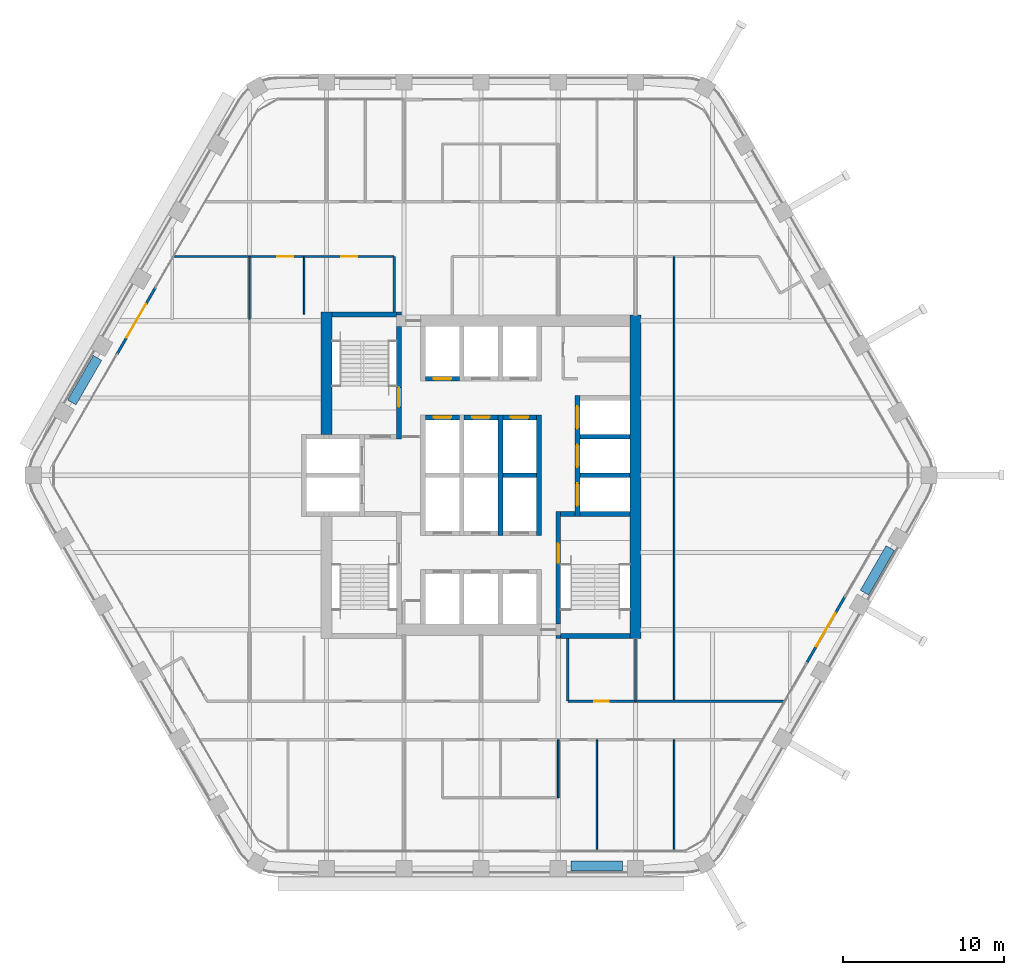
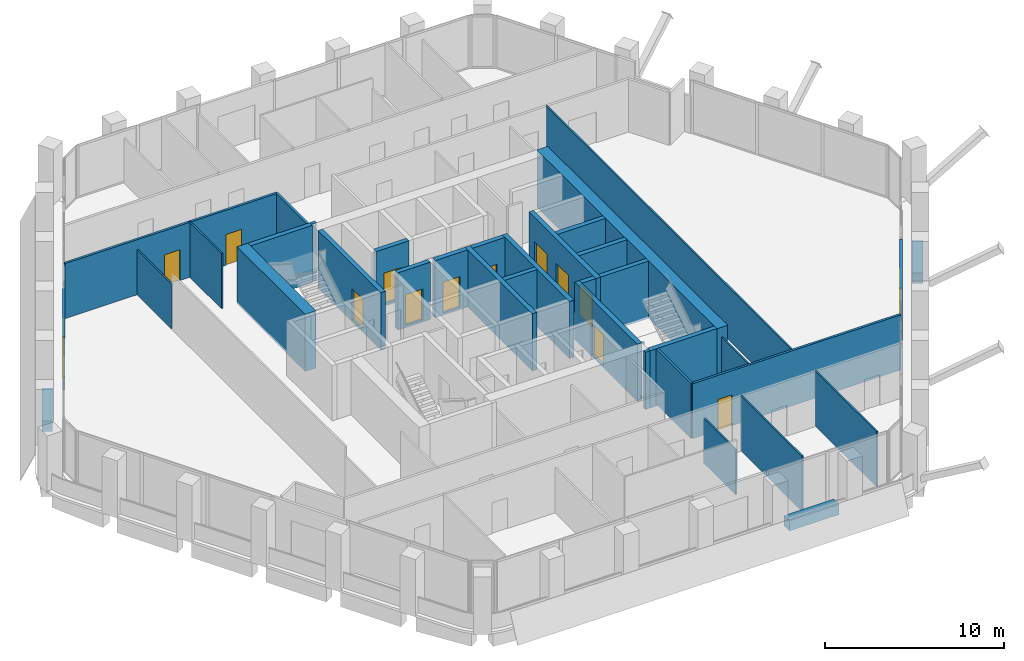
# One storey, part 11 of 16: 36 walls, 14 doors, 14 openings.
"""IFC4 building model written with IfcOpenShell, lengths in metres."""

from ifc_helpers import new_model, si_unit, direction, frame, frame_2d, origin, place, context, subcontext, project, spatial, rectangle, extrude, material, layer, layer_set, type_object, element, fill, save


model = new_model("IFC4")

# Units and contexts
model_context = context("Model", 3, precision=1e-05, world=origin(), true_north=direction((0.0, 1.0)))
body_context = subcontext(model_context, "Body", "Model", "MODEL_VIEW")
ifc_project = project(units=[si_unit("LENGTHUNIT", "METRE"), si_unit("AREAUNIT", "SQUARE_METRE"), si_unit("VOLUMEUNIT", "CUBIC_METRE"), si_unit("PLANEANGLEUNIT", "RADIAN"), si_unit("MASSUNIT", "GRAM", prefix="KILO")], contexts=[model_context])

# Site, building, storey
site_placement = place(None, origin())
site = spatial("IfcSite", under=ifc_project, at=site_placement, CompositionType="ELEMENT")
building_placement = place(site_placement, origin())
building = spatial("IfcBuilding", under=site, at=building_placement, Name="Kolab Exchange Tower", CompositionType="ELEMENT")
storey_placement = place(building_placement, frame((0.0, 0.0, 177.800048828125)))
storey = spatial("IfcBuildingStorey", under=building, at=storey_placement, Name="L37", CompositionType="ELEMENT", Elevation=177.800048828125)

# Walls
ifc_material_1 = material(Name="Concrete C60/75", Category="concrete")
ifc_layer_1 = layer(ifc_material_1, 0.699951171875)
ifc_layer_set_1 = layer_set([ifc_layer_1], Name="Concrete C60/75")
wall_type_1 = type_object("IfcWallType", Name="CORE WALL 700 C60/75", PredefinedType="SHEAR", material=ifc_layer_set_1)
wall_1_placement = place(storey_placement, frame((-9.60009765625, 2.550048828125, -0.150146484375), z_axis=(0.0, 0.0, 1.0), x_axis=(0.0, 1.0, 0.0)))
element("IfcWall", 1, at=wall_1_placement, inside=storey, type_object=wall_type_1, Name="wall/L37/core/037", PredefinedType="SHEAR", context=body_context, shape_type="SweptSolid", body=[
    extrude(rectangle(XDim=7.599853515625, YDim=0.699951171875, at=frame_2d((3.7998046875, 0.0))), origin(), (0.0, 0.0, 1.0), 3.900146484375),
])
wall_2_placement = place(storey_placement, frame((9.60009765625, -10.14990234375, -0.150146484375), z_axis=(0.0, 0.0, 1.0), x_axis=(0.0, 1.0, 0.0)))
element("IfcWall", 2, at=wall_2_placement, inside=storey, type_object=wall_type_1, Name="wall/L37/core/058", PredefinedType="SHEAR", context=body_context, shape_type="SweptSolid", body=[
    extrude(rectangle(XDim=20.099853515625, YDim=0.699951171875, at=frame_2d((10.0498046875, 0.0))), origin(), (0.0, 0.0, 1.0), 3.900146484375),
])

# Wall, opening, door
ifc_material_2 = material(Name="Aluminium EN AW-6063 T6", Category="aluminium")
ifc_layer_2 = layer(ifc_material_2, 0.159912109375)
ifc_layer_set_2 = layer_set([ifc_layer_2], Name="Aluminium EN AW-6063 T6")
wall_type_2 = type_object("IfcWallType", Name="DOOR SURROUND WALL 160 ALUMINIUM FRAMED", PredefinedType="PARTITIONING", material=ifc_layer_set_2)
wall_3_placement = place(storey_placement, frame((22.61669921875, -7.5498046875, 0.0), z_axis=(0.0, 0.0, 1.0), x_axis=(-0.5000167099, -0.866015756104, 0.0)))
wall_3 = element("IfcWall", 3, at=wall_3_placement, inside=storey, type_object=wall_type_2, Name="Door surround wall", PredefinedType="PARTITIONING", context=body_context, shape_type="SweptSolid", body=[
    extrude(rectangle(XDim=4.739990234375, YDim=0.159912109375, at=frame_2d((2.3701171875, 0.0))), origin(), (0.0, 0.0, 1.0), 3.599853515625),
])
opening_1_placement = place(wall_3_placement, frame((1.169921875, 0.0, 0.0)))
opening_1 = element("IfcOpeningElement", 4, at=opening_1_placement, cuts=wall_3, Name="Opening GD1-072", PredefinedType="OPENING", context=body_context, shape_type="SweptSolid", body=[
    extrude(rectangle(XDim=2.39990234375, YDim=2.39990234375, at=frame_2d((1.199951171875, 1.199951171875))), frame((0.0, 0.08984375, 0.0), z_axis=(0.0, -1.0, 0.0), x_axis=(1.0, 0.0, 0.0)), (0.0, 0.0, 1.0), 0.179931640625),
])
door_type_1 = type_object("IfcDoorType", Name="LOGGIA SLIDING GLASS DOOR 2400 X 2400", OperationType="DOUBLE_DOOR_SINGLE_SWING", PredefinedType="DOOR", material=ifc_material_2)
door_1_placement = place(opening_1_placement, origin())
door_1 = element("IfcDoor", 5, at=door_1_placement, inside=storey, type_object=door_type_1, Name="Loggia door", OperationType="DOUBLE_DOOR_SLIDING", OverallHeight=2.39990234375, OverallWidth=2.39990234375, PredefinedType="DOOR", context=body_context, shape_type="SweptSolid", body=[
    extrude(rectangle(XDim=2.39990234375, YDim=2.39990234375, at=frame_2d((1.199951171875, 1.199951171875))), frame((0.0, 0.02490234375, 0.0), z_axis=(0.0, -1.0, 0.0), x_axis=(1.0, 0.0, 0.0)), (0.0, 0.0, 1.0), 0.050048828125),
])
fill(opening_1, door_1)

wall_4_placement = place(storey_placement, frame((-22.61669921875, 7.5498046875, 0.0), z_axis=(0.0, 0.0, 1.0), x_axis=(0.5000167099, 0.866015756104, 0.0)))
wall_4 = element("IfcWall", 6, at=wall_4_placement, inside=storey, type_object=wall_type_2, Name="Door surround wall", PredefinedType="PARTITIONING", context=body_context, shape_type="SweptSolid", body=[
    extrude(rectangle(XDim=4.739990234375, YDim=0.159912109375, at=frame_2d((2.3701171875, 0.0))), origin(), (0.0, 0.0, 1.0), 3.599853515625),
])
opening_2_placement = place(wall_4_placement, frame((1.169921875, 0.0, 0.0)))
opening_2 = element("IfcOpeningElement", 7, at=opening_2_placement, cuts=wall_4, Name="Opening GD1-078", PredefinedType="OPENING", context=body_context, shape_type="SweptSolid", body=[
    extrude(rectangle(XDim=2.39990234375, YDim=2.39990234375, at=frame_2d((1.199951171875, 1.199951171875))), frame((0.0, 0.08984375, 0.0), z_axis=(0.0, -1.0, 0.0), x_axis=(1.0, 0.0, 0.0)), (0.0, 0.0, 1.0), 0.179931640625),
])
door_2_placement = place(opening_2_placement, origin())
door_2 = element("IfcDoor", 8, at=door_2_placement, inside=storey, type_object=door_type_1, Name="Loggia door", OperationType="DOUBLE_DOOR_SLIDING", OverallHeight=2.39990234375, OverallWidth=2.39990234375, PredefinedType="DOOR", context=body_context, shape_type="SweptSolid", body=[
    extrude(rectangle(XDim=2.39990234375, YDim=2.39990234375, at=frame_2d((1.199951171875, 1.199951171875))), frame((0.0, 0.02490234375, 0.0), z_axis=(0.0, -1.0, 0.0), x_axis=(1.0, 0.0, 0.0)), (0.0, 0.0, 1.0), 0.050048828125),
])
fill(opening_2, door_2)

# Walls
ifc_material_3 = material(Name="Concrete C50/60", Category="concrete")
ifc_layer_3 = layer(ifc_material_3, 0.300048828125)
ifc_layer_set_3 = layer_set([ifc_layer_3], Name="Concrete C50/60")
wall_type_3 = type_object("IfcWallType", Name="LIFT SHAFT WALL 300 C50/60", PredefinedType="STANDARD", material=ifc_layer_set_3)
wall_5_placement = place(storey_placement, frame((1.35009765625, 0.0, -0.150146484375), z_axis=(0.0, 0.0, 1.0), x_axis=(1.0, 0.0, 0.0)))
element("IfcWall", 9, at=wall_5_placement, inside=storey, type_object=wall_type_3, Name="wall/L37/core/017", PredefinedType="STANDARD", context=body_context, shape_type="SweptSolid", body=[
    extrude(rectangle(XDim=2.099853515625, YDim=0.300048828125, at=frame_2d((1.0498046875, 0.0))), origin(), (0.0, 0.0, 1.0), 3.900146484375),
])
for number, where, z_axis, x_axis, name in (
    (10, (6.14990234375, 0.0, -0.150146484375), (0.0, 0.0, 1.0), (1.0, 0.0, 0.0), "wall/L37/core/018"),
    (11, (6.14990234375, 2.39990234375, -0.150146484375), (0.0, 0.0, 1.0), (1.0, 0.0, 0.0), "wall/L37/core/022"),
):
    element("IfcWall", number, at=place(storey_placement, frame(where, z_axis=z_axis, x_axis=x_axis)), inside=storey, type_object=wall_type_3, Name=name, PredefinedType="STANDARD", context=body_context, shape_type="SweptSolid", body=[
        extrude(rectangle(XDim=3.10009765625, YDim=0.300048828125, at=frame_2d((1.550048828125, 0.0))), origin(), (0.0, 0.0, 1.0), 3.900146484375),
    ])

# Wall, opening, door
wall_6_placement = place(storey_placement, frame((-3.449951171875, 3.60009765625, -0.150146484375), z_axis=(0.0, 0.0, 1.0), x_axis=(1.0, 0.0, 0.0)))
wall_6 = element("IfcWall", 12, at=wall_6_placement, inside=storey, type_object=wall_type_3, Name="wall/L37/core/023", PredefinedType="STANDARD", context=body_context, shape_type="SweptSolid", body=[
    extrude(rectangle(XDim=2.099853515625, YDim=0.300048828125, at=frame_2d((1.0498046875, 0.0))), origin(), (0.0, 0.0, 1.0), 3.900146484375),
])
opening_3_placement = place(wall_6_placement, frame((0.5, 0.0, 0.14990234375)))
opening_3 = element("IfcOpeningElement", 13, at=opening_3_placement, cuts=wall_6, Name="Opening LD1-115", PredefinedType="OPENING", context=body_context, shape_type="SweptSolid", body=[
    extrude(rectangle(XDim=1.10009765625, YDim=2.10009765625, at=frame_2d((0.550048828125, 1.050048828125))), frame((0.0, 0.16015625, 0.0), z_axis=(0.0, -1.0, 0.0), x_axis=(1.0, 0.0, 0.0)), (0.0, 0.0, 1.0), 0.320068359375),
])
ifc_material_4 = material(Name="Stainless steel 316", Category="steel")
door_type_2 = type_object("IfcDoorType", Name="LANDING DOOR 1100 PASSENGER", OperationType="DOUBLE_DOOR_SLIDING", PredefinedType="DOOR", material=ifc_material_4)
door_3_placement = place(opening_3_placement, origin())
door_3 = element("IfcDoor", 14, at=door_3_placement, inside=storey, type_object=door_type_2, Name="Landing door HR4", OperationType="DOUBLE_DOOR_SLIDING", OverallHeight=2.10009765625, OverallWidth=1.10009765625, PredefinedType="DOOR", context=body_context, shape_type="SweptSolid", body=[
    extrude(rectangle(XDim=1.10009765625, YDim=2.10009765625, at=frame_2d((0.550048828125, 1.050048828125))), frame((0.0, 0.02490234375, 0.0), z_axis=(0.0, -1.0, 0.0), x_axis=(1.0, 0.0, 0.0)), (0.0, 0.0, 1.0), 0.050048828125),
])
fill(opening_3, door_3)

wall_7_placement = place(storey_placement, frame((-1.050048828125, 3.60009765625, -0.150146484375), z_axis=(0.0, 0.0, 1.0), x_axis=(1.0, 0.0, 0.0)))
wall_7 = element("IfcWall", 15, at=wall_7_placement, inside=storey, type_object=wall_type_3, Name="wall/L37/core/024", PredefinedType="STANDARD", context=body_context, shape_type="SweptSolid", body=[
    extrude(rectangle(XDim=2.10009765625, YDim=0.300048828125, at=frame_2d((1.050048828125, 0.0))), origin(), (0.0, 0.0, 1.0), 3.900146484375),
])
opening_4_placement = place(wall_7_placement, frame((0.5, 0.0, 0.14990234375)))
opening_4 = element("IfcOpeningElement", 16, at=opening_4_placement, cuts=wall_7, Name="Opening LD1-116", PredefinedType="OPENING", context=body_context, shape_type="SweptSolid", body=[
    extrude(rectangle(XDim=1.10009765625, YDim=2.10009765625, at=frame_2d((0.550048828125, 1.050048828125))), frame((0.0, 0.16015625, 0.0), z_axis=(0.0, -1.0, 0.0), x_axis=(1.0, 0.0, 0.0)), (0.0, 0.0, 1.0), 0.320068359375),
])
door_4_placement = place(opening_4_placement, origin())
door_4 = element("IfcDoor", 17, at=door_4_placement, inside=storey, type_object=door_type_2, Name="Landing door HR5", OperationType="DOUBLE_DOOR_SLIDING", OverallHeight=2.10009765625, OverallWidth=1.10009765625, PredefinedType="DOOR", context=body_context, shape_type="SweptSolid", body=[
    extrude(rectangle(XDim=1.10009765625, YDim=2.10009765625, at=frame_2d((0.550048828125, 1.050048828125))), frame((0.0, 0.02490234375, 0.0), z_axis=(0.0, -1.0, 0.0), x_axis=(1.0, 0.0, 0.0)), (0.0, 0.0, 1.0), 0.050048828125),
])
fill(opening_4, door_4)

wall_8_placement = place(storey_placement, frame((1.35009765625, 3.60009765625, -0.150146484375), z_axis=(0.0, 0.0, 1.0), x_axis=(1.0, 0.0, 0.0)))
wall_8 = element("IfcWall", 18, at=wall_8_placement, inside=storey, type_object=wall_type_3, Name="wall/L37/core/025", PredefinedType="STANDARD", context=body_context, shape_type="SweptSolid", body=[
    extrude(rectangle(XDim=2.099853515625, YDim=0.300048828125, at=frame_2d((1.0498046875, 0.0))), origin(), (0.0, 0.0, 1.0), 3.900146484375),
])
opening_5_placement = place(wall_8_placement, frame((0.5, 0.0, 0.14990234375)))
opening_5 = element("IfcOpeningElement", 19, at=opening_5_placement, cuts=wall_8, Name="Opening LD1-117", PredefinedType="OPENING", context=body_context, shape_type="SweptSolid", body=[
    extrude(rectangle(XDim=1.10009765625, YDim=2.10009765625, at=frame_2d((0.550048828125, 1.050048828125))), frame((0.0, 0.16015625, 0.0), z_axis=(0.0, -1.0, 0.0), x_axis=(1.0, 0.0, 0.0)), (0.0, 0.0, 1.0), 0.320068359375),
])
door_5_placement = place(opening_5_placement, origin())
door_5 = element("IfcDoor", 20, at=door_5_placement, inside=storey, type_object=door_type_2, Name="Landing door HR6", OperationType="DOUBLE_DOOR_SLIDING", OverallHeight=2.10009765625, OverallWidth=1.10009765625, PredefinedType="DOOR", context=body_context, shape_type="SweptSolid", body=[
    extrude(rectangle(XDim=1.10009765625, YDim=2.10009765625, at=frame_2d((0.550048828125, 1.050048828125))), frame((0.0, 0.02490234375, 0.0), z_axis=(0.0, -1.0, 0.0), x_axis=(1.0, 0.0, 0.0)), (0.0, 0.0, 1.0), 0.050048828125),
])
fill(opening_5, door_5)

wall_9_placement = place(storey_placement, frame((-3.449951171875, 6.0, -0.150146484375), z_axis=(0.0, 0.0, 1.0), x_axis=(1.0, 0.0, 0.0)))
wall_9 = element("IfcWall", 21, at=wall_9_placement, inside=storey, type_object=wall_type_3, Name="wall/L37/core/027", PredefinedType="STANDARD", context=body_context, shape_type="SweptSolid", body=[
    extrude(rectangle(XDim=2.099853515625, YDim=0.300048828125, at=frame_2d((1.0498046875, 0.0))), origin(), (0.0, 0.0, 1.0), 3.900146484375),
])
opening_6_placement = place(wall_9_placement, frame((0.5, 0.0, 0.14990234375)))
opening_6 = element("IfcOpeningElement", 22, at=opening_6_placement, cuts=wall_9, Name="Opening LD1-109", PredefinedType="OPENING", context=body_context, shape_type="SweptSolid", body=[
    extrude(rectangle(XDim=1.10009765625, YDim=2.10009765625, at=frame_2d((0.550048828125, 1.050048828125))), frame((0.0, 0.16015625, 0.0), z_axis=(0.0, -1.0, 0.0), x_axis=(1.0, 0.0, 0.0)), (0.0, 0.0, 1.0), 0.320068359375),
])
door_6_placement = place(opening_6_placement, origin())
door_6 = element("IfcDoor", 23, at=door_6_placement, inside=storey, type_object=door_type_2, Name="Landing door HR1", OperationType="DOUBLE_DOOR_SLIDING", OverallHeight=2.10009765625, OverallWidth=1.10009765625, PredefinedType="DOOR", context=body_context, shape_type="SweptSolid", body=[
    extrude(rectangle(XDim=1.10009765625, YDim=2.10009765625, at=frame_2d((0.550048828125, 1.050048828125))), frame((0.0, 0.02490234375, 0.0), z_axis=(0.0, -1.0, 0.0), x_axis=(1.0, 0.0, 0.0)), (0.0, 0.0, 1.0), 0.050048828125),
])
fill(opening_6, door_6)

# Walls
for number, where, z_axis, x_axis, name in (
    (24, (1.199951171875, -3.75, -0.150146484375), (0.0, 0.0, 1.0), (0.0, 1.0, 0.0), "wall/L37/core/050"),
    (25, (3.60009765625, -3.75, -0.150146484375), (0.0, 0.0, 1.0), (0.0, 1.0, 0.0), "wall/L37/core/053"),
):
    element("IfcWall", number, at=place(storey_placement, frame(where, z_axis=z_axis, x_axis=x_axis)), inside=storey, type_object=wall_type_3, Name=name, PredefinedType="STANDARD", context=body_context, shape_type="SweptSolid", body=[
        extrude(rectangle(XDim=7.5, YDim=0.300048828125, at=frame_2d((3.75, 0.0))), origin(), (0.0, 0.0, 1.0), 3.900146484375),
    ])

# Wall, openings, doors
wall_10_placement = place(storey_placement, frame((6.0, -2.550048828125, -0.150146484375), z_axis=(0.0, 0.0, 1.0), x_axis=(0.0, 1.0, 0.0)))
wall_10 = element("IfcWall", 26, at=wall_10_placement, inside=storey, type_object=wall_type_3, Name="wall/L37/core/057", PredefinedType="STANDARD", context=body_context, shape_type="SweptSolid", body=[
    extrude(rectangle(XDim=7.5, YDim=0.300048828125, at=frame_2d((3.75, 0.0))), origin(), (0.0, 0.0, 1.0), 3.900146484375),
])
opening_7_placement = place(wall_10_placement, frame((0.64990234375, 0.0, 0.14990234375)))
opening_7 = element("IfcOpeningElement", 27, at=opening_7_placement, cuts=wall_10, Name="Opening LD3-037", PredefinedType="OPENING", context=body_context, shape_type="SweptSolid", body=[
    extrude(rectangle(XDim=1.39990234375, YDim=2.10009765625, at=frame_2d((0.699951171875, 1.050048828125))), frame((0.0, 0.16015625, 0.0), z_axis=(0.0, -1.0, 0.0), x_axis=(1.0, 0.0, 0.0)), (0.0, 0.0, 1.0), 0.320068359375),
])
opening_8_placement = place(wall_10_placement, frame((3.050048828125, 0.0, 0.14990234375)))
opening_8 = element("IfcOpeningElement", 28, at=opening_8_placement, cuts=wall_10, Name="Opening LD3-038", PredefinedType="OPENING", context=body_context, shape_type="SweptSolid", body=[
    extrude(rectangle(XDim=1.39990234375, YDim=2.10009765625, at=frame_2d((0.699951171875, 1.050048828125))), frame((0.0, 0.16015625, 0.0), z_axis=(0.0, -1.0, 0.0), x_axis=(1.0, 0.0, 0.0)), (0.0, 0.0, 1.0), 0.320068359375),
])
opening_9_placement = place(wall_10_placement, frame((5.449951171875, 0.0, 0.14990234375)))
opening_9 = element("IfcOpeningElement", 29, at=opening_9_placement, cuts=wall_10, Name="Opening LD3-039", PredefinedType="OPENING", context=body_context, shape_type="SweptSolid", body=[
    extrude(rectangle(XDim=1.39990234375, YDim=2.10009765625, at=frame_2d((0.699951171875, 1.050048828125))), frame((0.0, 0.16015625, 0.0), z_axis=(0.0, -1.0, 0.0), x_axis=(1.0, 0.0, 0.0)), (0.0, 0.0, 1.0), 0.320068359375),
])
door_type_3 = type_object("IfcDoorType", Name="LANDING DOOR 1400 SERVICE", OperationType="DOUBLE_DOOR_SLIDING", PredefinedType="DOOR", material=ifc_material_4)
door_7_placement = place(opening_7_placement, origin())
door_7 = element("IfcDoor", 30, at=door_7_placement, inside=storey, type_object=door_type_3, Name="Landing door SV1", OperationType="DOUBLE_DOOR_SLIDING", OverallHeight=2.10009765625, OverallWidth=1.39990234375, PredefinedType="DOOR", context=body_context, shape_type="SweptSolid", body=[
    extrude(rectangle(XDim=1.39990234375, YDim=2.10009765625, at=frame_2d((0.699951171875, 1.050048828125))), frame((0.0, 0.02490234375, 0.0), z_axis=(0.0, -1.0, 0.0), x_axis=(1.0, 0.0, 0.0)), (0.0, 0.0, 1.0), 0.050048828125),
])
fill(opening_7, door_7)
door_8_placement = place(opening_8_placement, origin())
door_8 = element("IfcDoor", 31, at=door_8_placement, inside=storey, type_object=door_type_3, Name="Landing door SV2", OperationType="DOUBLE_DOOR_SLIDING", OverallHeight=2.10009765625, OverallWidth=1.39990234375, PredefinedType="DOOR", context=body_context, shape_type="SweptSolid", body=[
    extrude(rectangle(XDim=1.39990234375, YDim=2.10009765625, at=frame_2d((0.699951171875, 1.050048828125))), frame((0.0, 0.02490234375, 0.0), z_axis=(0.0, -1.0, 0.0), x_axis=(1.0, 0.0, 0.0)), (0.0, 0.0, 1.0), 0.050048828125),
])
fill(opening_8, door_8)
door_9_placement = place(opening_9_placement, origin())
door_9 = element("IfcDoor", 32, at=door_9_placement, inside=storey, type_object=door_type_3, Name="Landing door SV3", OperationType="DOUBLE_DOOR_SLIDING", OverallHeight=2.10009765625, OverallWidth=1.39990234375, PredefinedType="DOOR", context=body_context, shape_type="SweptSolid", body=[
    extrude(rectangle(XDim=1.39990234375, YDim=2.10009765625, at=frame_2d((0.699951171875, 1.050048828125))), frame((0.0, 0.02490234375, 0.0), z_axis=(0.0, -1.0, 0.0), x_axis=(1.0, 0.0, 0.0)), (0.0, 0.0, 1.0), 0.050048828125),
])
fill(opening_9, door_9)

# Walls
ifc_material_5 = material(Name="Gypsum board", Category="gypsum")
ifc_layer_4 = layer(ifc_material_5, 0.10009765625)
ifc_layer_set_4 = layer_set([ifc_layer_4], Name="Gypsum board")
wall_type_4 = type_object("IfcWallType", Name="PARTITION 100", PredefinedType="PARTITIONING", material=ifc_layer_set_4)
wall_11_placement = place(storey_placement, frame((12.0, -23.271484375, 0.0), z_axis=(0.0, 0.0, 1.0), x_axis=(0.0, 1.0, 0.0)))
element("IfcWall", 33, at=wall_11_placement, inside=storey, type_object=wall_type_4, Name="Partition 000", PredefinedType="PARTITIONING", context=body_context, shape_type="SweptSolid", body=[
    extrude(rectangle(XDim=6.830078125, YDim=0.10009765625, at=frame_2d((3.4150390625, 0.0))), origin(), (0.0, 0.0, 1.0), 3.75),
])
wall_12_placement = place(storey_placement, frame((12.0, -14.04150390625, 0.0), z_axis=(0.0, 0.0, 1.0), x_axis=(0.0, 1.0, 0.0)))
element("IfcWall", 34, at=wall_12_placement, inside=storey, type_object=wall_type_4, Name="Partition 001", PredefinedType="PARTITIONING", context=body_context, shape_type="SweptSolid", body=[
    extrude(rectangle(XDim=27.6416015625, YDim=0.10009765625, at=frame_2d((13.82080078125, 0.0))), origin(), (0.0, 0.0, 1.0), 3.599853515625),
])
wall_13_placement = place(storey_placement, frame((9.60009765625, -14.04150390625, 0.0), z_axis=(0.0, 0.0, 1.0), x_axis=(0.0, 1.0, 0.0)))
element("IfcWall", 35, at=wall_13_placement, inside=storey, type_object=wall_type_4, Name="Partition 002", PredefinedType="PARTITIONING", context=body_context, shape_type="SweptSolid", body=[
    extrude(rectangle(XDim=3.8916015625, YDim=0.10009765625, at=frame_2d((1.94580078125, 0.0))), origin(), (0.0, 0.0, 1.0), 3.06591796875),
])
wall_14_placement = place(storey_placement, frame((7.199951171875, -23.271484375, 0.0), z_axis=(0.0, 0.0, 1.0), x_axis=(0.0, 1.0, 0.0)))
element("IfcWall", 36, at=wall_14_placement, inside=storey, type_object=wall_type_4, Name="Partition 005", PredefinedType="PARTITIONING", context=body_context, shape_type="SweptSolid", body=[
    extrude(rectangle(XDim=6.830078125, YDim=0.10009765625, at=frame_2d((3.4150390625, 0.0))), origin(), (0.0, 0.0, 1.0), 3.75),
])
wall_15_placement = place(storey_placement, frame((4.800048828125, -20.04150390625, 0.0), z_axis=(0.0, 0.0, 1.0), x_axis=(0.0, 1.0, 0.0)))
element("IfcWall", 37, at=wall_15_placement, inside=storey, type_object=wall_type_4, Name="Partition 009", PredefinedType="PARTITIONING", context=body_context, shape_type="SweptSolid", body=[
    extrude(rectangle(XDim=3.60009765625, YDim=0.10009765625, at=frame_2d((1.800048828125, 0.0))), origin(), (0.0, 0.0, 1.0), 3.06591796875),
])
wall_16_placement = place(storey_placement, frame((-11.0, 10.0, 0.0), z_axis=(0.0, 0.0, 1.0), x_axis=(0.0, 1.0, 0.0)))
element("IfcWall", 38, at=wall_16_placement, inside=storey, type_object=wall_type_4, Name="Partition 027", PredefinedType="PARTITIONING", context=body_context, shape_type="SweptSolid", body=[
    extrude(rectangle(XDim=3.60009765625, YDim=0.10009765625, at=frame_2d((1.800048828125, 0.0))), origin(), (0.0, 0.0, 1.0), 3.75),
])
wall_17_placement = place(storey_placement, frame((-14.39990234375, 9.693603515625, 0.0), z_axis=(0.0, 0.0, 1.0), x_axis=(0.0, 1.0, 0.0)))
element("IfcWall", 39, at=wall_17_placement, inside=storey, type_object=wall_type_4, Name="Partition 029", PredefinedType="PARTITIONING", context=body_context, shape_type="SweptSolid", body=[
    extrude(rectangle(XDim=3.906494140625, YDim=0.10009765625, at=frame_2d((1.953125, 0.0))), origin(), (0.0, 0.0, 1.0), 3.06591796875),
])
ifc_layer_5 = layer(ifc_material_5, 0.14990234375)
ifc_layer_set_5 = layer_set([ifc_layer_5], Name="Gypsum board")
wall_type_5 = type_object("IfcWallType", Name="PARTITION 150 FIRE-RATED", PredefinedType="PARTITIONING", material=ifc_layer_set_5)
wall_18_placement = place(storey_placement, frame((5.39990234375, -14.04150390625, 0.0), z_axis=(0.0, 0.0, 1.0), x_axis=(0.0, 1.0, 0.0)))
element("IfcWall", 40, at=wall_18_placement, inside=storey, type_object=wall_type_5, Name="Partition 007", PredefinedType="PARTITIONING", context=body_context, shape_type="SweptSolid", body=[
    extrude(rectangle(XDim=3.8916015625, YDim=0.14990234375, at=frame_2d((1.94580078125, 0.0))), origin(), (0.0, 0.0, 1.0), 3.75),
])
wall_19_placement = place(storey_placement, frame((-5.39990234375, 10.14990234375, 0.0), z_axis=(0.0, 0.0, 1.0), x_axis=(0.0, 1.0, 0.0)))
element("IfcWall", 41, at=wall_19_placement, inside=storey, type_object=wall_type_5, Name="Partition 023", PredefinedType="PARTITIONING", context=body_context, shape_type="SweptSolid", body=[
    extrude(rectangle(XDim=3.4501953125, YDim=0.14990234375, at=frame_2d((1.72509765625, 0.0))), origin(), (0.0, 0.0, 1.0), 3.75),
])

# Wall, opening, door
wall_20_placement = place(storey_placement, frame((5.39990234375, -14.04150390625, 0.0), z_axis=(0.0, 0.0, 1.0), x_axis=(1.0, 0.0, 0.0)))
wall_20 = element("IfcWall", 42, at=wall_20_placement, inside=storey, type_object=wall_type_5, Name="Partition 037", PredefinedType="PARTITIONING", context=body_context, shape_type="SweptSolid", body=[
    extrude(rectangle(XDim=13.422607421875, YDim=0.14990234375, at=frame_2d((6.71142578125, 0.0))), origin(), (0.0, 0.0, 1.0), 3.75),
])
opening_10_placement = place(wall_20_placement, frame((1.64990234375, 0.0, 0.0)))
opening_10 = element("IfcOpeningElement", 43, at=opening_10_placement, cuts=wall_20, Name="Opening D3-051", PredefinedType="OPENING", context=body_context, shape_type="SweptSolid", body=[
    extrude(rectangle(XDim=0.89990234375, YDim=2.10009765625, at=frame_2d((0.449951171875, 1.050048828125))), frame((0.0, 0.0849609375, 0.0), z_axis=(0.0, -1.0, 0.0), x_axis=(1.0, 0.0, 0.0)), (0.0, 0.0, 1.0), 0.169921875),
])
ifc_material_6 = material(Name="Steel S235", Category="steel")
door_type_4 = type_object("IfcDoorType", Name="FLUSH DOOR 900 FD60", OperationType="SINGLE_SWING_LEFT", PredefinedType="DOOR", material=ifc_material_6)
door_10_placement = place(opening_10_placement, origin())
door_10 = element("IfcDoor", 44, at=door_10_placement, inside=storey, type_object=door_type_4, Name="Door L37-034", OperationType="SINGLE_SWING_LEFT", OverallHeight=2.10009765625, OverallWidth=0.89990234375, PredefinedType="DOOR", context=body_context, shape_type="SweptSolid", body=[
    extrude(rectangle(XDim=0.89990234375, YDim=2.10009765625, at=frame_2d((0.449951171875, 1.050048828125))), frame((0.0, 0.02490234375, 0.0), z_axis=(0.0, -1.0, 0.0), x_axis=(1.0, 0.0, 0.0)), (0.0, 0.0, 1.0), 0.050048828125),
])
fill(opening_10, door_10)

# Wall, openings, doors
wall_21_placement = place(storey_placement, frame((-19.077392578125, 13.60009765625, 0.0), z_axis=(0.0, 0.0, 1.0), x_axis=(1.0, 0.0, 0.0)))
wall_21 = element("IfcWall", 45, at=wall_21_placement, inside=storey, type_object=wall_type_5, Name="Partition 040", PredefinedType="PARTITIONING", context=body_context, shape_type="SweptSolid", body=[
    extrude(rectangle(XDim=13.677490234375, YDim=0.14990234375, at=frame_2d((6.8388671875, 0.0))), origin(), (0.0, 0.0, 1.0), 3.75),
])
opening_11_placement = place(wall_21_placement, frame((10.37744140625, 0.0, 0.0)))
opening_11 = element("IfcOpeningElement", 46, at=opening_11_placement, cuts=wall_21, Name="Opening D1-475", PredefinedType="OPENING", context=body_context, shape_type="SweptSolid", body=[
    extrude(rectangle(XDim=1.0, YDim=2.10009765625, at=frame_2d((0.5, 1.050048828125))), frame((0.0, 0.0849609375, 0.0), z_axis=(0.0, -1.0, 0.0), x_axis=(1.0, 0.0, 0.0)), (0.0, 0.0, 1.0), 0.169921875),
])
opening_12_placement = place(wall_21_placement, frame((6.40234375, 0.0, 0.0)))
opening_12 = element("IfcOpeningElement", 47, at=opening_12_placement, cuts=wall_21, Name="Opening D1-493", PredefinedType="OPENING", context=body_context, shape_type="SweptSolid", body=[
    extrude(rectangle(XDim=1.0, YDim=2.10009765625, at=frame_2d((0.5, 1.050048828125))), frame((0.0, 0.0849609375, 0.0), z_axis=(0.0, -1.0, 0.0), x_axis=(1.0, 0.0, 0.0)), (0.0, 0.0, 1.0), 0.169921875),
])
door_type_5 = type_object("IfcDoorType", Name="FLUSH DOOR 1000 FD60", OperationType="SINGLE_SWING_LEFT", PredefinedType="DOOR", material=ifc_material_6)
door_11_placement = place(opening_11_placement, frame((1.0, 0.0, 0.0), z_axis=(0.0, 0.0, 1.0), x_axis=(-1.0, 0.0, 0.0)))
door_11 = element("IfcDoor", 48, at=door_11_placement, inside=storey, type_object=door_type_5, Name="Door L37-033", OperationType="SINGLE_SWING_LEFT", OverallHeight=2.10009765625, OverallWidth=1.0, PredefinedType="DOOR", context=body_context, shape_type="SweptSolid", body=[
    extrude(rectangle(XDim=1.0, YDim=2.10009765625, at=frame_2d((0.5, 1.050048828125))), frame((0.0, 0.02490234375, 0.0), z_axis=(0.0, -1.0, 0.0), x_axis=(1.0, 0.0, 0.0)), (0.0, 0.0, 1.0), 0.050048828125),
])
fill(opening_11, door_11)
door_12_placement = place(opening_12_placement, frame((1.0, 0.0, 0.0), z_axis=(0.0, 0.0, 1.0), x_axis=(-1.0, 0.0, 0.0)))
door_12 = element("IfcDoor", 49, at=door_12_placement, inside=storey, type_object=door_type_5, Name="Door L37-056", OperationType="SINGLE_SWING_RIGHT", OverallHeight=2.10009765625, OverallWidth=1.0, PredefinedType="DOOR", context=body_context, shape_type="SweptSolid", body=[
    extrude(rectangle(XDim=1.0, YDim=2.10009765625, at=frame_2d((0.5, 1.050048828125))), frame((0.0, 0.02490234375, 0.0), z_axis=(0.0, -1.0, 0.0), x_axis=(1.0, 0.0, 0.0)), (0.0, 0.0, 1.0), 0.050048828125),
])
fill(opening_12, door_12)

# Walls
ifc_material_7 = material(Name="Granite facing", Category="masonry")
ifc_layer_6 = layer(ifc_material_7, 0.0400390625)
ifc_material_8 = material(Name="Concrete C40/50 precast", Category="concrete")
ifc_layer_7 = layer(ifc_material_8, 0.56005859375)
ifc_layer_set_6 = layer_set([ifc_layer_6, ifc_layer_7], Name="Concrete C40/50 precast")
wall_type_6 = type_object("IfcWallType", Name="PLANTER BOX 600 X 700 SOIL DEPTH 550", PredefinedType="USERDEFINED", material=ifc_layer_set_6)
wall_22_placement = place(storey_placement, frame((25.43701171875, -4.524658203125, 0.0), z_axis=(0.0, 0.0, 1.0), x_axis=(-0.499938187974, -0.866061088033, 0.0)))
element("IfcWall", 50, at=wall_22_placement, inside=storey, type_object=wall_type_6, Name="Planter", ObjectType="PLANTER", PredefinedType="USERDEFINED", context=body_context, shape_type="SweptSolid", body=[
    extrude(rectangle(XDim=3.2001953125, YDim=0.60009765625, at=frame_2d((1.60009765625, 0.0))), origin(), (0.0, 0.0, 1.0), 0.699951171875),
])
wall_23_placement = place(storey_placement, frame((8.800048828125, -24.29150390625, 0.0), z_axis=(0.0, 0.0, 1.0), x_axis=(-1.0, 0.0, 0.0)))
element("IfcWall", 51, at=wall_23_placement, inside=storey, type_object=wall_type_6, Name="Planter", ObjectType="PLANTER", PredefinedType="USERDEFINED", context=body_context, shape_type="SweptSolid", body=[
    extrude(rectangle(XDim=3.199951171875, YDim=0.60009765625, at=frame_2d((1.60009765625, 0.0))), origin(), (0.0, 0.0, 1.0), 0.699951171875),
])
wall_24_placement = place(storey_placement, frame((-25.43701171875, 4.524658203125, 0.0), z_axis=(0.0, 0.0, 1.0), x_axis=(0.499938187974, 0.866061088033, 0.0)))
element("IfcWall", 52, at=wall_24_placement, inside=storey, type_object=wall_type_6, Name="Planter", ObjectType="PLANTER", PredefinedType="USERDEFINED", context=body_context, shape_type="SweptSolid", body=[
    extrude(rectangle(XDim=3.2001953125, YDim=0.60009765625, at=frame_2d((1.60009765625, 0.0))), origin(), (0.0, 0.0, 1.0), 0.699951171875),
])
ifc_layer_8 = layer(ifc_material_3, 0.300048828125)
ifc_layer_set_7 = layer_set([ifc_layer_8], Name="Concrete C50/60")
wall_type_7 = type_object("IfcWallType", Name="STAIR ENCLOSURE WALL 300 C50/60", PredefinedType="STANDARD", material=ifc_layer_set_7)
wall_25_placement = place(storey_placement, frame((4.949951171875, -10.0, -0.150146484375), z_axis=(0.0, 0.0, 1.0), x_axis=(1.0, 0.0, 0.0)))
element("IfcWall", 53, at=wall_25_placement, inside=storey, type_object=wall_type_7, Name="wall/L37/core/001", PredefinedType="STANDARD", context=body_context, shape_type="SweptSolid", body=[
    extrude(rectangle(XDim=4.300048828125, YDim=0.300048828125, at=frame_2d((2.14990234375, 0.0))), origin(), (0.0, 0.0, 1.0), 3.900146484375),
])
wall_26_placement = place(storey_placement, frame((4.949951171875, -2.39990234375, -0.150146484375), z_axis=(0.0, 0.0, 1.0), x_axis=(1.0, 0.0, 0.0)))
element("IfcWall", 54, at=wall_26_placement, inside=storey, type_object=wall_type_7, Name="wall/L37/core/012", PredefinedType="STANDARD", context=body_context, shape_type="SweptSolid", body=[
    extrude(rectangle(XDim=0.900146484375, YDim=0.300048828125, at=frame_2d((0.4501953125, 0.0))), origin(), (0.0, 0.0, 1.0), 3.900146484375),
])
wall_27_placement = place(storey_placement, frame((6.14990234375, -2.39990234375, -0.150146484375), z_axis=(0.0, 0.0, 1.0), x_axis=(1.0, 0.0, 0.0)))
element("IfcWall", 55, at=wall_27_placement, inside=storey, type_object=wall_type_7, Name="wall/L37/core/013", PredefinedType="STANDARD", context=body_context, shape_type="SweptSolid", body=[
    extrude(rectangle(XDim=3.10009765625, YDim=0.300048828125, at=frame_2d((1.550048828125, 0.0))), origin(), (0.0, 0.0, 1.0), 3.900146484375),
])
wall_28_placement = place(storey_placement, frame((-9.25, 10.0, -0.150146484375), z_axis=(0.0, 0.0, 1.0), x_axis=(1.0, 0.0, 0.0)))
element("IfcWall", 56, at=wall_28_placement, inside=storey, type_object=wall_type_7, Name="wall/L37/core/032", PredefinedType="STANDARD", context=body_context, shape_type="SweptSolid", body=[
    extrude(rectangle(XDim=4.0, YDim=0.300048828125, at=frame_2d((2.0, 0.0))), origin(), (0.0, 0.0, 1.0), 3.900146484375),
])

# Wall, opening, door
wall_29_placement = place(storey_placement, frame((-5.10009765625, 2.25, -0.150146484375), z_axis=(0.0, 0.0, 1.0), x_axis=(0.0, 1.0, 0.0)))
wall_29 = element("IfcWall", 57, at=wall_29_placement, inside=storey, type_object=wall_type_7, Name="wall/L37/core/041", PredefinedType="STANDARD", context=body_context, shape_type="SweptSolid", body=[
    extrude(rectangle(XDim=7.0, YDim=0.300048828125, at=frame_2d((3.5, 0.0))), origin(), (0.0, 0.0, 1.0), 3.900146484375),
])
opening_13_placement = place(wall_29_placement, frame((2.0, 0.0, 0.14990234375)))
opening_13 = element("IfcOpeningElement", 58, at=opening_13_placement, cuts=wall_29, Name="Opening D4-066", PredefinedType="OPENING", context=body_context, shape_type="SweptSolid", body=[
    extrude(rectangle(XDim=1.199951171875, YDim=2.10009765625, at=frame_2d((0.60009765625, 1.050048828125))), frame((0.0, 0.16015625, 0.0), z_axis=(0.0, -1.0, 0.0), x_axis=(1.0, 0.0, 0.0)), (0.0, 0.0, 1.0), 0.320068359375),
])
door_type_6 = type_object("IfcDoorType", Name="STAIR DOOR 1200 EI 120", OperationType="SINGLE_SWING_LEFT", PredefinedType="DOOR", material=ifc_material_6)
door_13_placement = place(opening_13_placement, origin())
door_13 = element("IfcDoor", 59, at=door_13_placement, inside=storey, type_object=door_type_6, Name="Stair 1 door", OperationType="SINGLE_SWING_LEFT", OverallHeight=2.10009765625, OverallWidth=1.199951171875, PredefinedType="DOOR", context=body_context, shape_type="SweptSolid", body=[
    extrude(rectangle(XDim=1.199951171875, YDim=2.10009765625, at=frame_2d((0.60009765625, 1.050048828125))), frame((0.0, 0.02490234375, 0.0), z_axis=(0.0, -1.0, 0.0), x_axis=(1.0, 0.0, 0.0)), (0.0, 0.0, 1.0), 0.050048828125),
])
fill(opening_13, door_13)

# Walls
for number, where, z_axis, x_axis, name in (
    (60, (-5.10009765625, 9.949951171875, -0.150146484375), (0.0, 0.0, 1.0), (0.0, 1.0, 0.0), "wall/L37/core/042"),
    (61, (4.800048828125, -10.14990234375, -0.150146484375), (0.0, 0.0, 1.0), (0.0, 1.0, 0.0), "wall/L37/core/055"),
):
    element("IfcWall", number, at=place(storey_placement, frame(where, z_axis=z_axis, x_axis=x_axis)), inside=storey, type_object=wall_type_7, Name=name, PredefinedType="STANDARD", context=body_context, shape_type="SweptSolid", body=[
        extrude(rectangle(XDim=0.199951171875, YDim=0.300048828125, at=frame_2d((0.10009765625, 0.0))), origin(), (0.0, 0.0, 1.0), 3.900146484375),
    ])

# Wall, opening, door
wall_30_placement = place(storey_placement, frame((4.800048828125, -9.25, -0.150146484375), z_axis=(0.0, 0.0, 1.0), x_axis=(0.0, 1.0, 0.0)))
wall_30 = element("IfcWall", 62, at=wall_30_placement, inside=storey, type_object=wall_type_7, Name="wall/L37/core/056", PredefinedType="STANDARD", context=body_context, shape_type="SweptSolid", body=[
    extrude(rectangle(XDim=7.0, YDim=0.300048828125, at=frame_2d((3.5, 0.0))), origin(), (0.0, 0.0, 1.0), 3.900146484375),
])
opening_14_placement = place(wall_30_placement, frame((3.800048828125, 0.0, 0.14990234375)))
opening_14 = element("IfcOpeningElement", 63, at=opening_14_placement, cuts=wall_30, Name="Opening D4-067", PredefinedType="OPENING", context=body_context, shape_type="SweptSolid", body=[
    extrude(rectangle(XDim=1.199951171875, YDim=2.10009765625, at=frame_2d((0.60009765625, 1.050048828125))), frame((0.0, 0.16015625, 0.0), z_axis=(0.0, -1.0, 0.0), x_axis=(1.0, 0.0, 0.0)), (0.0, 0.0, 1.0), 0.320068359375),
])
door_14_placement = place(opening_14_placement, frame((1.199951171875, 0.0, 0.0), z_axis=(0.0, 0.0, 1.0), x_axis=(-1.0, 0.0, 0.0)))
door_14 = element("IfcDoor", 64, at=door_14_placement, inside=storey, type_object=door_type_6, Name="Stair 2 door", OperationType="SINGLE_SWING_RIGHT", OverallHeight=2.10009765625, OverallWidth=1.199951171875, PredefinedType="DOOR", context=body_context, shape_type="SweptSolid", body=[
    extrude(rectangle(XDim=1.199951171875, YDim=2.10009765625, at=frame_2d((0.60009765625, 1.050048828125))), frame((0.0, 0.02490234375, 0.0), z_axis=(0.0, -1.0, 0.0), x_axis=(1.0, 0.0, 0.0)), (0.0, 0.0, 1.0), 0.050048828125),
])
fill(opening_14, door_14)

save(model, "model.ifc")
